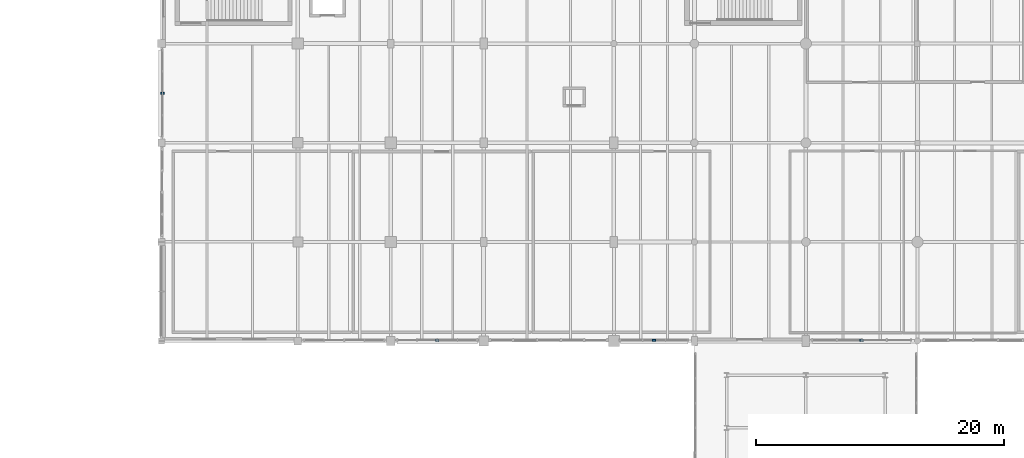
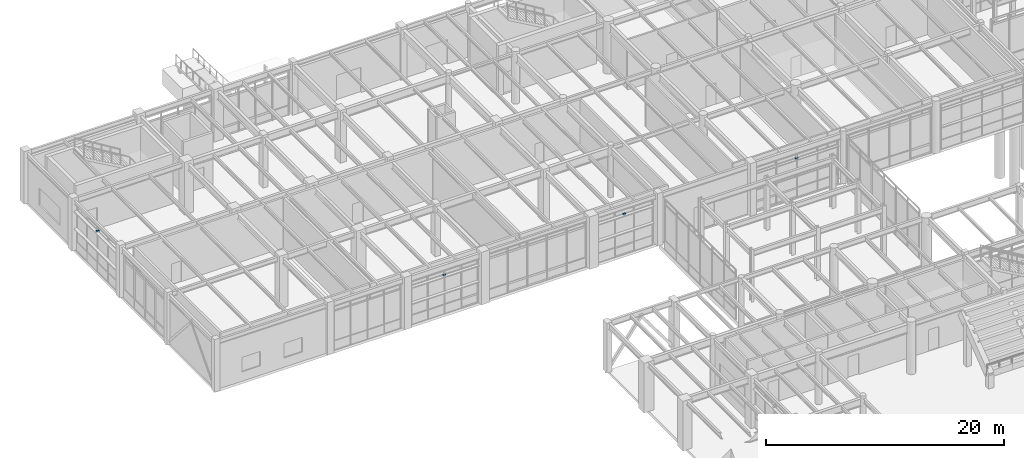
# One storey, part 190 of 203: 4 discrete accessories.
"""IFC4 building model written with IfcOpenShell, lengths in metres."""

from ifc_helpers import new_model, si_unit, direction, frame, origin, origin_2d, place, context, subcontext, project, spatial, rectangle, extrude, material, type_object, element, save


model = new_model("IFC4")

# Units and contexts
model_context = context("Model", 3, precision=1e-05, world=origin(), true_north=direction((0.0, 1.0)))
body_context = subcontext(model_context, "Body", "Model", "MODEL_VIEW")
ifc_project = project(units=[si_unit("LENGTHUNIT", "METRE"), si_unit("AREAUNIT", "SQUARE_METRE"), si_unit("VOLUMEUNIT", "CUBIC_METRE"), si_unit("PLANEANGLEUNIT", "RADIAN"), si_unit("MASSUNIT", "GRAM", prefix="KILO"), si_unit("THERMODYNAMICTEMPERATUREUNIT", "KELVIN"), si_unit("POWERUNIT", "WATT")], contexts=[model_context])

# Site, building, storey
site_placement = place(None, origin())
site = spatial("IfcSite", under=ifc_project, at=site_placement, CompositionType="ELEMENT")
building_placement = place(site_placement, origin())
building = spatial("IfcBuilding", under=site, at=building_placement, Name="Tepalcoro Natatorium and Aquatics Centre", CompositionType="ELEMENT")
storey_placement = place(building_placement, origin())
storey = spatial("IfcBuildingStorey", under=building, at=storey_placement, Name="L00", CompositionType="ELEMENT", Elevation=0.0)

# Discrete accessories
ifc_material_1 = material(Name="Plate Steel ASTM A572 Grade 50 (Fy 345 MPa)", Category="steel")
discrete_accessory_type_1 = type_object("IfcDiscreteAccessoryType", Name="BRK_FACADE_GALV", PredefinedType="BRACKET", material=ifc_material_1)
for number, where, z_axis, x_axis, name in (
    (1, (32.25, 86.05615234375, 3.88818359375), (0.0, 0.0, 1.0), (1.0, 0.0, 0.0), "Solar Shading Outrigger Bracket BRK_FACADE_GALV"),
    (2, (49.75, 86.05615234375, 4.0400390625), (0.0, 0.0, 1.0), (1.0, 0.0, 0.0), "Solar Shading Outrigger Bracket BRK_FACADE_GALV"),
    (3, (10.06494140625, 106.0, 4.0869140625), (0.0, 0.0, 1.0), (1.0, 0.0, 0.0), "Solar Shading Outrigger Bracket BRK_FACADE_GALV"),
):
    element("IfcDiscreteAccessory", number, at=place(storey_placement, frame(where, z_axis=z_axis, x_axis=x_axis)), inside=storey, type_object=discrete_accessory_type_1, Name=name, PredefinedType="BRACKET", context=body_context, shape_type="SweptSolid", body=[
        extrude(rectangle(XDim=0.280029296875, YDim=0.159912109375, at=origin_2d()), origin(), (0.0, 0.0, 1.0), 0.159912109375),
    ])
ifc_material_2 = material(Name="Marine-Grade Brushed Stainless Steel AISI 316L", Category="steel")
discrete_accessory_type_2 = type_object("IfcDiscreteAccessoryType", Name="BRK_SEISMIC_SS", PredefinedType="BRACKET", material=ifc_material_2)
discrete_accessory_placement = place(storey_placement, frame((66.5, 86.05615234375, 3.88818359375), z_axis=(0.0, 0.0, 1.0), x_axis=(1.0, 0.0, 0.0)))
element("IfcDiscreteAccessory", 4, at=discrete_accessory_placement, inside=storey, type_object=discrete_accessory_type_2, Name="Solar Shading Outrigger Bracket BRK_SEISMIC_SS", PredefinedType="BRACKET", context=body_context, shape_type="SweptSolid", body=[
    extrude(rectangle(XDim=0.280029296875, YDim=0.159912109375, at=origin_2d()), origin(), (0.0, 0.0, 1.0), 0.159912109375),
])

save(model, "model.ifc")
